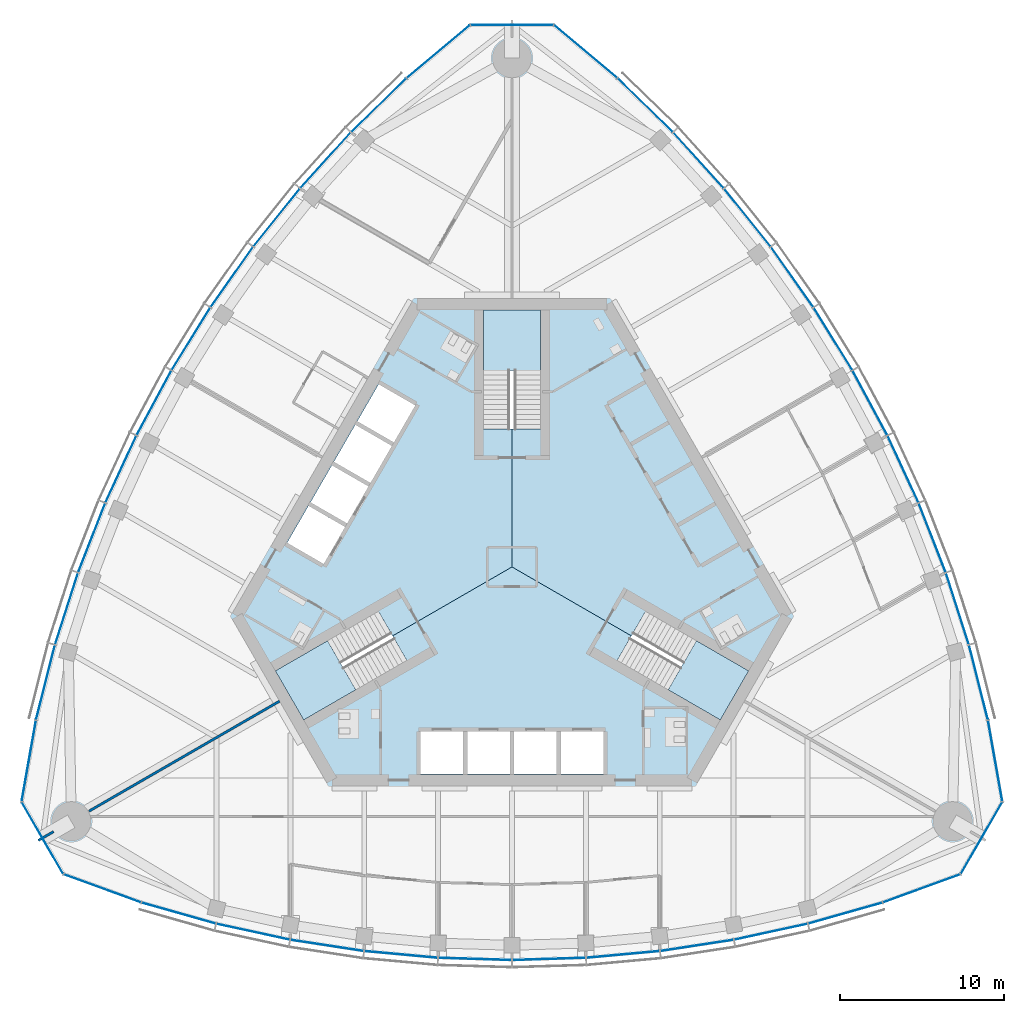
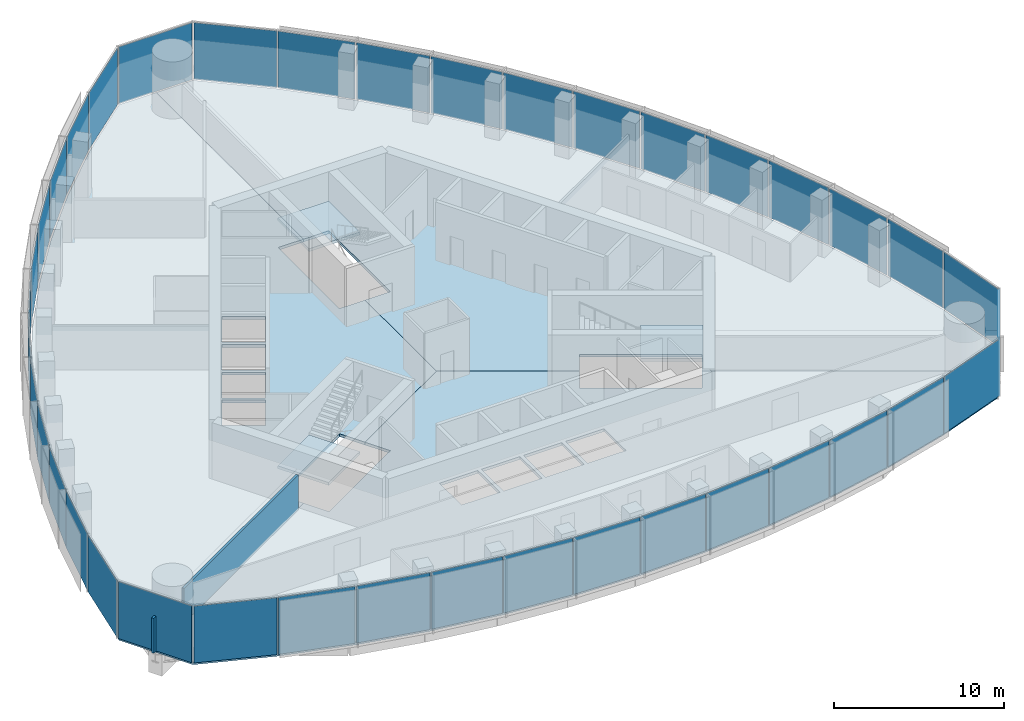
# One storey, part 7 of 16: 39 plates, 6 slabs, 2 walls, 9 elements without a shape of their own.
"""IFC4 building model written with IfcOpenShell, lengths in metres."""

import ifcopenshell
import ifcopenshell.guid

model = None  # the IFC model being written
_history = None  # IfcOwnerHistory: only IFC2X3 demands one
_inside = {}  # id of a spatial element -> (the spatial element, [elements in it])
_under = {}  # id of a project, library or spatial element -> (it, [spatial elements below it])
_declared = {}  # id of a project -> (the project, [libraries it declares])
_typed = {}  # id of a type object -> (the type object, [elements of that type])
_made_of = {}  # id of a material, layer set ... -> (it, [elements and type objects made of it])


def new_model(schema):
    """Start an empty IFC model of exactly this schema.

    Asked for "IFC4X3", IfcOpenShell would pick the latest addendum, in which some entities
    have other attributes; the version numbers below select the first issue.
    IFC2X3 requires an IfcOwnerHistory on every rooted entity: one is made here for all.
    """
    global model, _history
    if schema == "IFC4X3":
        model = ifcopenshell.file(schema_version=(4, 3, 0, 0))
    else:
        model = ifcopenshell.file(schema=schema)
    _inside.clear()
    _under.clear()
    _declared.clear()
    _typed.clear()
    _made_of.clear()
    _history = None
    if model.schema == "IFC2X3":
        org = make("IfcOrganization", Name="unknown")
        user = make(
            "IfcPersonAndOrganization",
            ThePerson=make("IfcPerson", FamilyName="unknown"),
            TheOrganization=org,
        )
        app = make(
            "IfcApplication",
            ApplicationDeveloper=org,
            Version="unknown",
            ApplicationFullName="unknown",
            ApplicationIdentifier="unknown",
        )
        _history = make(
            "IfcOwnerHistory",
            OwningUser=user,
            OwningApplication=app,
            ChangeAction="ADDED",
            CreationDate=0,
        )
    return model


def make(cls, **values):
    """One entity of the class cls with the attributes given. An attribute that is None is left unset."""
    return model.create_entity(
        cls, **{name: value for name, value in values.items() if value is not None}
    )


def rooted(cls, **values):
    """An entity with a GlobalId (a new one), such as an element, a storey or a relation."""
    return make(cls, GlobalId=ifcopenshell.guid.new(), OwnerHistory=_history, **values)


def si_unit(unit_type, name, prefix=None):
    """IfcSIUnit, for example si_unit("LENGTHUNIT", "METRE", prefix="MILLI")."""
    return make("IfcSIUnit", UnitType=unit_type, Prefix=prefix, Name=name)


def assignment(units):
    """IfcUnitAssignment: the units of a project."""
    return None if units is None else make("IfcUnitAssignment", Units=units)


def point(xyz):
    """IfcCartesianPoint."""
    return None if xyz is None else make("IfcCartesianPoint", Coordinates=xyz)


def direction(xyz):
    """IfcDirection."""
    return None if xyz is None else make("IfcDirection", DirectionRatios=xyz)


def frame(location, z_axis=None, x_axis=None):
    """IfcAxis2Placement3D, a coordinate frame: its origin and axes. An axis left out is left unset."""
    return make(
        "IfcAxis2Placement3D",
        Location=point(location),
        Axis=direction(z_axis),
        RefDirection=direction(x_axis),
    )


def frame_2d(location, x_axis=None):
    """IfcAxis2Placement2D, a coordinate frame in the plane: its origin and x axis."""
    return make(
        "IfcAxis2Placement2D", Location=point(location), RefDirection=direction(x_axis)
    )


def origin():
    """The frame at (0, 0, 0) with its axes left unset."""
    return frame((0.0, 0.0, 0.0))


def origin_2d():
    """The frame at (0, 0) in the plane with its x axis left unset."""
    return frame_2d((0.0, 0.0))


def place(relative_to, where):
    """IfcLocalPlacement: puts the frame where relative to a parent placement (None: the world)."""
    return make(
        "IfcLocalPlacement", PlacementRelTo=relative_to, RelativePlacement=where
    )


def context(
    kind, dimensions, precision=None, world=None, true_north=None, identifier=None
):
    """IfcGeometricRepresentationContext, for example the 3D "Model" context."""
    return make(
        "IfcGeometricRepresentationContext",
        ContextIdentifier=identifier,
        ContextType=kind,
        CoordinateSpaceDimension=dimensions,
        Precision=precision,
        WorldCoordinateSystem=world,
        TrueNorth=true_north,
    )


def subcontext(parent, identifier, kind, view, scale=None):
    """IfcGeometricRepresentationSubContext, for example "Body" below "Model"."""
    return make(
        "IfcGeometricRepresentationSubContext",
        ContextIdentifier=identifier,
        ContextType=kind,
        ParentContext=parent,
        TargetScale=scale,
        TargetView=view,
    )


def project(units=None, contexts=None):
    """IfcProject with its units and contexts."""
    return rooted(
        "IfcProject",
        Name="project",
        RepresentationContexts=contexts,
        UnitsInContext=assignment(units),
    )


def spatial(cls, under=None, at=None, **own):
    """A site, building, storey or space (cls), placed at a placement, below another one or the project."""
    s = rooted(cls, ObjectPlacement=at, **own)
    if under is not None:
        _under.setdefault(under.id(), (under, []))[1].append(s)
    return s


def polyline(points):
    """IfcPolyline through the points."""
    return make("IfcPolyline", Points=[point(p) for p in points])


def profile(cls, at=None, kind="AREA", **sizes):
    """A parametric profile (cls). Its sizes go by their IFC names, for example OverallWidth=200.0."""
    return make(cls, ProfileType=kind, Position=at, **sizes)


def rectangle(**sizes):
    """IfcRectangleProfileDef."""
    return profile("IfcRectangleProfileDef", **sizes)


def outline(outer, holes=None, kind="AREA"):
    """IfcArbitraryClosedProfileDef: a profile drawn as a closed curve; with holes, ...WithVoids."""
    if holes is None:
        return make("IfcArbitraryClosedProfileDef", ProfileType=kind, OuterCurve=outer)
    return make(
        "IfcArbitraryProfileDefWithVoids",
        ProfileType=kind,
        OuterCurve=outer,
        InnerCurves=holes,
    )


def extrude(swept, where, along, depth):
    """IfcExtrudedAreaSolid: the profile swept, set in the frame where, extruded along a direction by depth."""
    return make(
        "IfcExtrudedAreaSolid",
        SweptArea=swept,
        Position=where,
        ExtrudedDirection=direction(along),
        Depth=depth,
    )


def shape(context_of_items, identifier, shape_type, items):
    """IfcShapeRepresentation: the items that make up one representation, for example the "Body"."""
    return make(
        "IfcShapeRepresentation",
        ContextOfItems=context_of_items,
        RepresentationIdentifier=identifier,
        RepresentationType=shape_type,
        Items=items,
    )


def material(Name=None, Category=None):
    """IfcMaterial."""
    return make("IfcMaterial", Name=Name, Category=Category)


def layer(
    of_material, thickness, ventilated=None, Name=None, Category=None, Priority=None
):
    """IfcMaterialLayer: one layer of a wall or slab, of a material (None: an air gap)."""
    return make(
        "IfcMaterialLayer",
        Material=of_material,
        LayerThickness=thickness,
        IsVentilated=ventilated,
        Name=Name,
        Category=Category,
        Priority=Priority,
    )


def layer_set(layers, Name=None):
    """IfcMaterialLayerSet."""
    return make("IfcMaterialLayerSet", MaterialLayers=layers, LayerSetName=Name)


def made_of(thing, what):
    """Note that an element or type object is made of a material, layer set ...; save() writes the relation."""
    if what is not None:
        _made_of.setdefault(what.id(), (what, []))[1].append(thing)
    return thing


def type_object(cls, material=None, **own):
    """A type object (cls), such as IfcWallType, which elements share."""
    return made_of(rooted(cls, **own), material)


def element(
    cls,
    number,
    at=None,
    inside=None,
    cuts=None,
    type_object=None,
    material=None,
    context=None,
    identifier="Body",
    shape_type=None,
    held_by="IfcProductDefinitionShape",
    body=None,
    shapes=None,
    **own,
):
    """One element of the class cls, such as IfcWall. Its Tag is "e" and its number.

    at: its placement. inside: the storey or other place that contains it. cuts: it is an
    opening in that element (IfcRelVoidsElement). A single representation is given by context,
    identifier, shape_type and body (its items); several are given by shapes. held_by: the class
    of the entity that holds the representations. save() writes the other relations.
    """
    e = rooted(cls, Tag="e%d" % number, ObjectPlacement=at, **own)
    if body is not None:
        shapes = [shape(context, identifier, shape_type, body)]
    if shapes is not None:
        e.Representation = make(held_by, Representations=shapes)
    if inside is not None:
        _inside.setdefault(inside.id(), (inside, []))[1].append(e)
    if cuts is not None:
        rooted(
            "IfcRelVoidsElement", RelatingBuildingElement=cuts, RelatedOpeningElement=e
        )
    if type_object is not None:
        _typed.setdefault(type_object.id(), (type_object, []))[1].append(e)
    return made_of(e, material)


def aggregate(whole, parts):
    """IfcRelAggregates: a whole, such as a stair, and the parts it consists of."""
    return rooted("IfcRelAggregates", RelatingObject=whole, RelatedObjects=parts)


def save(model, path):
    """Write the relations noted so far, then the file.

    IfcRelAggregates (storeys below a building ...), IfcRelContainedInSpatialStructure (elements
    in a storey), IfcRelDefinesByType, IfcRelAssociatesMaterial and IfcRelDeclares: one each for
    every whole, place, type object, material and project.
    """
    for whole, parts in _under.values():
        aggregate(whole, parts)
    for where, things in _inside.values():
        rooted(
            "IfcRelContainedInSpatialStructure",
            RelatedElements=things,
            RelatingStructure=where,
        )
    for kind, things in _typed.values():
        rooted("IfcRelDefinesByType", RelatedObjects=things, RelatingType=kind)
    for what, things in _made_of.values():
        rooted("IfcRelAssociatesMaterial", RelatedObjects=things, RelatingMaterial=what)
    for by, libraries in _declared.values():
        rooted("IfcRelDeclares", RelatingContext=by, RelatedDefinitions=libraries)
    model.write(path)


model = new_model("IFC4")

# Units and contexts
model_context = context("Model", 3, precision=1e-05, world=origin(), true_north=direction((0.0, 1.0)))
body_context = subcontext(model_context, "Body", "Model", "MODEL_VIEW")
ifc_project = project(units=[si_unit("LENGTHUNIT", "METRE"), si_unit("AREAUNIT", "SQUARE_METRE"), si_unit("VOLUMEUNIT", "CUBIC_METRE"), si_unit("PLANEANGLEUNIT", "RADIAN"), si_unit("MASSUNIT", "GRAM", prefix="KILO")], contexts=[model_context])

# Site, building, storey
site_placement = place(None, origin())
site = spatial("IfcSite", under=ifc_project, at=site_placement, CompositionType="ELEMENT")
building_placement = place(site_placement, origin())
building = spatial("IfcBuilding", under=site, at=building_placement, Name="Trefoil Bronze Tower", CompositionType="ELEMENT")
storey_placement = place(building_placement, frame((0.0, 0.0, 293.10009765625)))
storey = spatial("IfcBuildingStorey", under=building, at=storey_placement, Name="L67", CompositionType="ELEMENT", Elevation=293.10009765625)

# Curtain wall, plates
ifc_material_1 = material(Name="Tinted solar-control glass", Category="glass")
curtain_wall_type_1 = type_object("IfcCurtainWallType", Name="Bronze office curtain wall", PredefinedType="USERDEFINED", material=ifc_material_1)
curtain_wall_1_placement = place(storey_placement, origin())
curtain_wall_1 = element("IfcCurtainWall", 1, at=curtain_wall_1_placement, inside=storey, type_object=curtain_wall_type_1, Name="CW-A L67 F1", ObjectType="CURTAIN WALL", PredefinedType="USERDEFINED")
ifc_material_2 = material(Name="Tinted solar-control glass", Category="glass")
ifc_layer_1 = layer(ifc_material_2, 0.030029296875)
ifc_layer_set_1 = layer_set([ifc_layer_1], Name="Bronze office curtain wall glass panel")
plate_type_1 = type_object("IfcPlateType", Name="Bronze office curtain wall glass panel", PredefinedType="CURTAIN_PANEL", material=ifc_layer_set_1)
plate_1_placement = place(storey_placement, frame((-20.301513671875, -21.092529296875, -0.000244140625), z_axis=(0.0, 0.0, 1.0), x_axis=(0.962097746943, -0.272704831875, 0.0)))
plate_1 = element("IfcPlate", 2, at=plate_1_placement, type_object=plate_type_1, Name="CW-A L67 F1 panel 1", PredefinedType="CURTAIN_PANEL", context=body_context, shape_type="SweptSolid", body=[
    extrude(rectangle(XDim=4.6474609375, YDim=0.030029296875, at=origin_2d()), origin(), (0.0, 0.0, 1.0), 4.080078125),
])
plate_2_placement = place(storey_placement, frame((-15.771240234375, -22.226318359375, -0.000244140625), z_axis=(0.0, 0.0, 1.0), x_axis=(0.977303138829, -0.211845639168, 0.0)))
plate_2 = element("IfcPlate", 3, at=plate_2_placement, type_object=plate_type_1, Name="CW-A L67 F1 panel 2", PredefinedType="CURTAIN_PANEL", context=body_context, shape_type="SweptSolid", body=[
    extrude(rectangle(XDim=4.5244140625, YDim=0.030029296875, at=origin_2d()), origin(), (0.0, 0.0, 1.0), 4.080078125),
])
plate_3_placement = place(storey_placement, frame((-11.26513671875, -23.0595703125, -0.000244140625), z_axis=(0.0, 0.0, 1.0), x_axis=(0.988485337216, -0.151316681529, 0.0)))
plate_3 = element("IfcPlate", 4, at=plate_3_placement, type_object=plate_type_1, Name="CW-A L67 F1 panel 3", PredefinedType="CURTAIN_PANEL", context=body_context, shape_type="SweptSolid", body=[
    extrude(rectangle(XDim=4.472412109375, YDim=0.030029296875, at=origin_2d()), origin(), (0.0, 0.0, 1.0), 4.080078125),
])
plate_4_placement = place(storey_placement, frame((-6.759033203125, -23.60986328125, -0.000244140625), z_axis=(0.0, 0.0, 1.0), x_axis=(0.99587011625, -0.090789380212, 0.0)))
plate_4 = element("IfcPlate", 5, at=plate_4_placement, type_object=plate_type_1, Name="CW-A L67 F1 panel 4", PredefinedType="CURTAIN_PANEL", context=body_context, shape_type="SweptSolid", body=[
    extrude(rectangle(XDim=4.438720703125, YDim=0.030029296875, at=origin_2d()), origin(), (0.0, 0.0, 1.0), 4.080078125),
])
plate_5_placement = place(storey_placement, frame((-2.2529296875, -23.883544921875, -0.000244140625), z_axis=(0.0, 0.0, 1.0), x_axis=(0.999541969785, -0.030263024264, 0.0)))
plate_5 = element("IfcPlate", 6, at=plate_5_placement, type_object=plate_type_1, Name="CW-A L67 F1 panel 5", PredefinedType="CURTAIN_PANEL", context=body_context, shape_type="SweptSolid", body=[
    extrude(rectangle(XDim=4.422119140625, YDim=0.030029296875, at=origin_2d()), origin(), (0.0, 0.0, 1.0), 4.080078125),
])
plate_6_placement = place(storey_placement, frame((2.2529296875, -23.883544921875, -0.000244140625), z_axis=(0.0, 0.0, 1.0), x_axis=(0.999541969785, 0.030263024264, 0.0)))
plate_6 = element("IfcPlate", 7, at=plate_6_placement, type_object=plate_type_1, Name="CW-A L67 F1 panel 6", PredefinedType="CURTAIN_PANEL", context=body_context, shape_type="SweptSolid", body=[
    extrude(rectangle(XDim=4.422119140625, YDim=0.030029296875, at=origin_2d()), origin(), (0.0, 0.0, 1.0), 4.080078125),
])
plate_7_placement = place(storey_placement, frame((6.759033203125, -23.60986328125, -0.000244140625), z_axis=(0.0, 0.0, 1.0), x_axis=(0.99587011625, 0.090789380212, 0.0)))
plate_7 = element("IfcPlate", 8, at=plate_7_placement, type_object=plate_type_1, Name="CW-A L67 F1 panel 7", PredefinedType="CURTAIN_PANEL", context=body_context, shape_type="SweptSolid", body=[
    extrude(rectangle(XDim=4.438720703125, YDim=0.030029296875, at=origin_2d()), origin(), (0.0, 0.0, 1.0), 4.080078125),
])
plate_8_placement = place(storey_placement, frame((11.26513671875, -23.0595703125, -0.000244140625), z_axis=(0.0, 0.0, 1.0), x_axis=(0.988485337216, 0.151316681529, 0.0)))
plate_8 = element("IfcPlate", 9, at=plate_8_placement, type_object=plate_type_1, Name="CW-A L67 F1 panel 8", PredefinedType="CURTAIN_PANEL", context=body_context, shape_type="SweptSolid", body=[
    extrude(rectangle(XDim=4.472412109375, YDim=0.030029296875, at=origin_2d()), origin(), (0.0, 0.0, 1.0), 4.080078125),
])
plate_9_placement = place(storey_placement, frame((15.771240234375, -22.226318359375, -0.000244140625), z_axis=(0.0, 0.0, 1.0), x_axis=(0.977303138829, 0.211845639168, 0.0)))
plate_9 = element("IfcPlate", 10, at=plate_9_placement, type_object=plate_type_1, Name="CW-A L67 F1 panel 9", PredefinedType="CURTAIN_PANEL", context=body_context, shape_type="SweptSolid", body=[
    extrude(rectangle(XDim=4.5244140625, YDim=0.030029296875, at=origin_2d()), origin(), (0.0, 0.0, 1.0), 4.080078125),
])
plate_10_placement = place(storey_placement, frame((20.301513671875, -21.092529296875, -0.000244140625), z_axis=(0.0, 0.0, 1.0), x_axis=(0.962097746943, 0.272704831875, 0.0)))
plate_10 = element("IfcPlate", 11, at=plate_10_placement, type_object=plate_type_1, Name="CW-A L67 F1 panel 10", PredefinedType="CURTAIN_PANEL", context=body_context, shape_type="SweptSolid", body=[
    extrude(rectangle(XDim=4.6474609375, YDim=0.030029296875, at=origin_2d()), origin(), (0.0, 0.0, 1.0), 4.080078125),
])
aggregate(curtain_wall_1, [plate_1, plate_2, plate_3, plate_4, plate_5, plate_6, plate_7, plate_8, plate_9, plate_10])

curtain_wall_2_placement = place(storey_placement, origin())
curtain_wall_2 = element("IfcCurtainWall", 12, at=curtain_wall_2_placement, inside=storey, type_object=curtain_wall_type_1, Name="CW-A L67 F2", ObjectType="CURTAIN WALL", PredefinedType="USERDEFINED")
plate_11_placement = place(storey_placement, frame((28.417236328125, -7.035400390625, -0.000244140625), z_axis=(0.0, 0.0, 1.0), x_axis=(-0.244879561333, 0.969553505713, 0.0)))
plate_11 = element("IfcPlate", 13, at=plate_11_placement, type_object=plate_type_1, Name="CW-A L67 F2 panel 1", PredefinedType="CURTAIN_PANEL", context=body_context, shape_type="SweptSolid", body=[
    extrude(rectangle(XDim=4.6474609375, YDim=0.030029296875, at=origin_2d()), origin(), (0.0, 0.0, 1.0), 4.080078125),
])
plate_12_placement = place(storey_placement, frame((27.134033203125, -2.545166015625, -0.000244140625), z_axis=(0.0, 0.0, 1.0), x_axis=(-0.305187864214, 0.952292165009, 0.0)))
plate_12 = element("IfcPlate", 14, at=plate_12_placement, type_object=plate_type_1, Name="CW-A L67 F2 panel 2", PredefinedType="CURTAIN_PANEL", context=body_context, shape_type="SweptSolid", body=[
    extrude(rectangle(XDim=4.5244140625, YDim=0.030029296875, at=origin_2d()), origin(), (0.0, 0.0, 1.0), 4.080078125),
])
plate_13_placement = place(storey_placement, frame((25.602783203125, 1.77392578125, -0.000244140625), z_axis=(0.0, 0.0, 1.0), x_axis=(-0.363198578387, 0.931711754062, 0.0)))
plate_13 = element("IfcPlate", 15, at=plate_13_placement, type_object=plate_type_1, Name="CW-A L67 F2 panel 3", PredefinedType="CURTAIN_PANEL", context=body_context, shape_type="SweptSolid", body=[
    extrude(rectangle(XDim=4.472412109375, YDim=0.030029296875, at=origin_2d()), origin(), (0.0, 0.0, 1.0), 4.080078125),
])
plate_14_placement = place(storey_placement, frame((23.826171875, 5.951416015625, -0.000244140625), z_axis=(0.0, 0.0, 1.0), x_axis=(-0.419309148468, 0.907843509649, 0.0)))
plate_14 = element("IfcPlate", 16, at=plate_14_placement, type_object=plate_type_1, Name="CW-A L67 F2 panel 4", PredefinedType="CURTAIN_PANEL", context=body_context, shape_type="SweptSolid", body=[
    extrude(rectangle(XDim=4.438720703125, YDim=0.030029296875, at=origin_2d()), origin(), (0.0, 0.0, 1.0), 4.080078125),
])
plate_15_placement = place(storey_placement, frame((21.81005859375, 9.990478515625, -0.000244140625), z_axis=(0.0, 0.0, 1.0), x_axis=(-0.473562437085, 0.880760250115, 0.0)))
plate_15 = element("IfcPlate", 17, at=plate_15_placement, type_object=plate_type_1, Name="CW-A L67 F2 panel 5", PredefinedType="CURTAIN_PANEL", context=body_context, shape_type="SweptSolid", body=[
    extrude(rectangle(XDim=4.422119140625, YDim=0.030029296875, at=origin_2d()), origin(), (0.0, 0.0, 1.0), 4.080078125),
])
plate_16_placement = place(storey_placement, frame((19.55712890625, 13.892822265625, -0.000244140625), z_axis=(0.0, 0.0, 1.0), x_axis=(-0.525979532701, 0.850497225851, 0.0)))
plate_16 = element("IfcPlate", 18, at=plate_16_placement, type_object=plate_type_1, Name="CW-A L67 F2 panel 6", PredefinedType="CURTAIN_PANEL", context=body_context, shape_type="SweptSolid", body=[
    extrude(rectangle(XDim=4.422119140625, YDim=0.030029296875, at=origin_2d()), origin(), (0.0, 0.0, 1.0), 4.080078125),
])
plate_17_placement = place(storey_placement, frame((17.067138671875, 17.658447265625, -0.000244140625), z_axis=(0.0, 0.0, 1.0), x_axis=(-0.576560967783, 0.817054129437, 0.0)))
plate_17 = element("IfcPlate", 19, at=plate_17_placement, type_object=plate_type_1, Name="CW-A L67 F2 panel 7", PredefinedType="CURTAIN_PANEL", context=body_context, shape_type="SweptSolid", body=[
    extrude(rectangle(XDim=4.438720703125, YDim=0.030029296875, at=origin_2d()), origin(), (0.0, 0.0, 1.0), 4.080078125),
])
plate_18_placement = place(storey_placement, frame((14.337646484375, 21.28564453125, -0.000244140625), z_axis=(0.0, 0.0, 1.0), x_axis=(-0.625286758829, 0.780395072533, 0.0)))
plate_18 = element("IfcPlate", 20, at=plate_18_placement, type_object=plate_type_1, Name="CW-A L67 F2 panel 8", PredefinedType="CURTAIN_PANEL", context=body_context, shape_type="SweptSolid", body=[
    extrude(rectangle(XDim=4.472412109375, YDim=0.030029296875, at=origin_2d()), origin(), (0.0, 0.0, 1.0), 4.080078125),
])
plate_19_placement = place(storey_placement, frame((11.36279296875, 24.771484375, -0.000244140625), z_axis=(0.0, 0.0, 1.0), x_axis=(-0.672115274615, 0.74044652584, 0.0)))
plate_19 = element("IfcPlate", 21, at=plate_19_placement, type_object=plate_type_1, Name="CW-A L67 F2 panel 9", PredefinedType="CURTAIN_PANEL", context=body_context, shape_type="SweptSolid", body=[
    extrude(rectangle(XDim=4.5244140625, YDim=0.030029296875, at=origin_2d()), origin(), (0.0, 0.0, 1.0), 4.080078125),
])
plate_20_placement = place(storey_placement, frame((8.115966796875, 28.127685546875, -0.000244140625), z_axis=(0.0, 0.0, 1.0), x_axis=(-0.71721818561, 0.696848673839, 0.0)))
plate_20 = element("IfcPlate", 22, at=plate_20_placement, type_object=plate_type_1, Name="CW-A L67 F2 panel 10", PredefinedType="CURTAIN_PANEL", context=body_context, shape_type="SweptSolid", body=[
    extrude(rectangle(XDim=4.6474609375, YDim=0.030029296875, at=origin_2d()), origin(), (0.0, 0.0, 1.0), 4.080078125),
])
aggregate(curtain_wall_2, [plate_11, plate_12, plate_13, plate_14, plate_15, plate_16, plate_17, plate_18, plate_19, plate_20])

curtain_wall_3_placement = place(storey_placement, origin())
curtain_wall_3 = element("IfcCurtainWall", 23, at=curtain_wall_3_placement, inside=storey, type_object=curtain_wall_type_1, Name="CW-A L67 F3", ObjectType="CURTAIN WALL", PredefinedType="USERDEFINED")
plate_21_placement = place(storey_placement, frame((-8.115966796875, 28.127685546875, -0.000244140625), z_axis=(0.0, 0.0, 1.0), x_axis=(-0.71721818561, -0.696848673839, 0.0)))
plate_21 = element("IfcPlate", 24, at=plate_21_placement, type_object=plate_type_1, Name="CW-A L67 F3 panel 1", PredefinedType="CURTAIN_PANEL", context=body_context, shape_type="SweptSolid", body=[
    extrude(rectangle(XDim=4.6474609375, YDim=0.030029296875, at=origin_2d()), origin(), (0.0, 0.0, 1.0), 4.080078125),
])
plate_22_placement = place(storey_placement, frame((-11.36279296875, 24.771484375, -0.000244140625), z_axis=(0.0, 0.0, 1.0), x_axis=(-0.672115274615, -0.74044652584, 0.0)))
plate_22 = element("IfcPlate", 25, at=plate_22_placement, type_object=plate_type_1, Name="CW-A L67 F3 panel 2", PredefinedType="CURTAIN_PANEL", context=body_context, shape_type="SweptSolid", body=[
    extrude(rectangle(XDim=4.5244140625, YDim=0.030029296875, at=origin_2d()), origin(), (0.0, 0.0, 1.0), 4.080078125),
])
plate_23_placement = place(storey_placement, frame((-14.337646484375, 21.28564453125, -0.000244140625), z_axis=(0.0, 0.0, 1.0), x_axis=(-0.625286758829, -0.780395072533, 0.0)))
plate_23 = element("IfcPlate", 26, at=plate_23_placement, type_object=plate_type_1, Name="CW-A L67 F3 panel 3", PredefinedType="CURTAIN_PANEL", context=body_context, shape_type="SweptSolid", body=[
    extrude(rectangle(XDim=4.472412109375, YDim=0.030029296875, at=origin_2d()), origin(), (0.0, 0.0, 1.0), 4.080078125),
])
plate_24_placement = place(storey_placement, frame((-17.067138671875, 17.658447265625, -0.000244140625), z_axis=(0.0, 0.0, 1.0), x_axis=(-0.576560967783, -0.817054129437, 0.0)))
plate_24 = element("IfcPlate", 27, at=plate_24_placement, type_object=plate_type_1, Name="CW-A L67 F3 panel 4", PredefinedType="CURTAIN_PANEL", context=body_context, shape_type="SweptSolid", body=[
    extrude(rectangle(XDim=4.438720703125, YDim=0.030029296875, at=origin_2d()), origin(), (0.0, 0.0, 1.0), 4.080078125),
])
plate_25_placement = place(storey_placement, frame((-19.55712890625, 13.892822265625, -0.000244140625), z_axis=(0.0, 0.0, 1.0), x_axis=(-0.525979532701, -0.850497225851, 0.0)))
plate_25 = element("IfcPlate", 28, at=plate_25_placement, type_object=plate_type_1, Name="CW-A L67 F3 panel 5", PredefinedType="CURTAIN_PANEL", context=body_context, shape_type="SweptSolid", body=[
    extrude(rectangle(XDim=4.422119140625, YDim=0.030029296875, at=origin_2d()), origin(), (0.0, 0.0, 1.0), 4.080078125),
])
plate_26_placement = place(storey_placement, frame((-21.81005859375, 9.990478515625, -0.000244140625), z_axis=(0.0, 0.0, 1.0), x_axis=(-0.473562437085, -0.880760250115, 0.0)))
plate_26 = element("IfcPlate", 29, at=plate_26_placement, type_object=plate_type_1, Name="CW-A L67 F3 panel 6", PredefinedType="CURTAIN_PANEL", context=body_context, shape_type="SweptSolid", body=[
    extrude(rectangle(XDim=4.422119140625, YDim=0.030029296875, at=origin_2d()), origin(), (0.0, 0.0, 1.0), 4.080078125),
])
plate_27_placement = place(storey_placement, frame((-23.826171875, 5.951416015625, -0.000244140625), z_axis=(0.0, 0.0, 1.0), x_axis=(-0.419309148468, -0.907843509649, 0.0)))
plate_27 = element("IfcPlate", 30, at=plate_27_placement, type_object=plate_type_1, Name="CW-A L67 F3 panel 7", PredefinedType="CURTAIN_PANEL", context=body_context, shape_type="SweptSolid", body=[
    extrude(rectangle(XDim=4.438720703125, YDim=0.030029296875, at=origin_2d()), origin(), (0.0, 0.0, 1.0), 4.080078125),
])
plate_28_placement = place(storey_placement, frame((-25.602783203125, 1.77392578125, -0.000244140625), z_axis=(0.0, 0.0, 1.0), x_axis=(-0.363198578387, -0.931711754062, 0.0)))
plate_28 = element("IfcPlate", 31, at=plate_28_placement, type_object=plate_type_1, Name="CW-A L67 F3 panel 8", PredefinedType="CURTAIN_PANEL", context=body_context, shape_type="SweptSolid", body=[
    extrude(rectangle(XDim=4.472412109375, YDim=0.030029296875, at=origin_2d()), origin(), (0.0, 0.0, 1.0), 4.080078125),
])
plate_29_placement = place(storey_placement, frame((-27.134033203125, -2.545166015625, -0.000244140625), z_axis=(0.0, 0.0, 1.0), x_axis=(-0.305187864214, -0.952292165009, 0.0)))
plate_29 = element("IfcPlate", 32, at=plate_29_placement, type_object=plate_type_1, Name="CW-A L67 F3 panel 9", PredefinedType="CURTAIN_PANEL", context=body_context, shape_type="SweptSolid", body=[
    extrude(rectangle(XDim=4.5244140625, YDim=0.030029296875, at=origin_2d()), origin(), (0.0, 0.0, 1.0), 4.080078125),
])
plate_30_placement = place(storey_placement, frame((-28.417236328125, -7.035400390625, -0.000244140625), z_axis=(0.0, 0.0, 1.0), x_axis=(-0.244879561333, -0.969553505713, 0.0)))
plate_30 = element("IfcPlate", 33, at=plate_30_placement, type_object=plate_type_1, Name="CW-A L67 F3 panel 10", PredefinedType="CURTAIN_PANEL", context=body_context, shape_type="SweptSolid", body=[
    extrude(rectangle(XDim=4.6474609375, YDim=0.030029296875, at=origin_2d()), origin(), (0.0, 0.0, 1.0), 4.080078125),
])
aggregate(curtain_wall_3, [plate_21, plate_22, plate_23, plate_24, plate_25, plate_26, plate_27, plate_28, plate_29, plate_30])

ifc_material_3 = material(Name="Tinted solar-control glass", Category="glass")
curtain_wall_type_2 = type_object("IfcCurtainWallType", Name="Bronze rounded corner curtain wall", PredefinedType="USERDEFINED", material=ifc_material_3)
curtain_wall_4_placement = place(storey_placement, origin())
curtain_wall_4 = element("IfcCurtainWall", 34, at=curtain_wall_4_placement, inside=storey, type_object=curtain_wall_type_2, Name="CW-B L67 K1", ObjectType="CURTAIN WALL", PredefinedType="USERDEFINED")
ifc_material_4 = material(Name="Tinted solar-control glass", Category="glass")
ifc_layer_2 = layer(ifc_material_4, 0.030029296875)
ifc_layer_set_2 = layer_set([ifc_layer_2], Name="Bronze rounded corner curtain wall glass panel")
plate_type_2 = type_object("IfcPlateType", Name="Bronze rounded corner curtain wall glass panel", PredefinedType="CURTAIN_PANEL", material=ifc_layer_set_2)
plate_31_placement = place(storey_placement, frame((24.939453125, -19.587646484375, -0.000244140625), z_axis=(0.0, 0.0, 1.0), x_axis=(0.939692620786, 0.342020143326, 0.0)))
plate_31 = element("IfcPlate", 35, at=plate_31_placement, type_object=plate_type_2, Name="CW-B L67 K1 panel 1", PredefinedType="CURTAIN_PANEL", context=body_context, shape_type="SweptSolid", body=[
    extrude(rectangle(XDim=4.956298828125, YDim=0.030029296875, at=origin_2d()), origin(), (0.0, 0.0, 1.0), 4.080078125),
])
plate_32_placement = place(storey_placement, frame((28.602783203125, -16.513916015625, -0.000244140625), z_axis=(0.0, 0.0, 1.0), x_axis=(0.5, 0.866025403784, 0.0)))
plate_32 = element("IfcPlate", 36, at=plate_32_placement, type_object=plate_type_2, Name="CW-B L67 K1 panel 2", PredefinedType="CURTAIN_PANEL", context=body_context, shape_type="SweptSolid", body=[
    extrude(rectangle(XDim=4.956298828125, YDim=0.030029296875, at=origin_2d()), origin(), (0.0, 0.0, 1.0), 4.080078125),
])
plate_33_placement = place(storey_placement, frame((29.43310546875, -11.80419921875, -0.000244140625), z_axis=(0.0, 0.0, 1.0), x_axis=(-0.173648177667, 0.984807753012, 0.0)))
plate_33 = element("IfcPlate", 37, at=plate_33_placement, type_object=plate_type_2, Name="CW-B L67 K1 panel 3", PredefinedType="CURTAIN_PANEL", context=body_context, shape_type="SweptSolid", body=[
    extrude(rectangle(XDim=4.956298828125, YDim=0.030029296875, at=origin_2d()), origin(), (0.0, 0.0, 1.0), 4.080078125),
])
aggregate(curtain_wall_4, [plate_31, plate_32, plate_33])

curtain_wall_5_placement = place(storey_placement, origin())
curtain_wall_5 = element("IfcCurtainWall", 38, at=curtain_wall_5_placement, inside=storey, type_object=curtain_wall_type_2, Name="CW-B L67 K2", ObjectType="CURTAIN WALL", PredefinedType="USERDEFINED")
plate_34_placement = place(storey_placement, frame((4.493896484375, 31.39208984375, -0.000244140625), z_axis=(0.0, 0.0, 1.0), x_axis=(-0.766044443119, 0.642787609687, 0.0)))
plate_34 = element("IfcPlate", 39, at=plate_34_placement, type_object=plate_type_2, Name="CW-B L67 K2 panel 1", PredefinedType="CURTAIN_PANEL", context=body_context, shape_type="SweptSolid", body=[
    extrude(rectangle(XDim=4.956298828125, YDim=0.030029296875, at=origin_2d()), origin(), (0.0, 0.0, 1.0), 4.080078125),
])
plate_35_placement = place(storey_placement, frame((0.0, 33.027587890625, -0.000244140625), z_axis=(0.0, 0.0, 1.0), x_axis=(-1.0, 0.0, 0.0)))
plate_35 = element("IfcPlate", 40, at=plate_35_placement, type_object=plate_type_2, Name="CW-B L67 K2 panel 2", PredefinedType="CURTAIN_PANEL", context=body_context, shape_type="SweptSolid", body=[
    extrude(rectangle(XDim=4.956298828125, YDim=0.030029296875, at=origin_2d()), origin(), (0.0, 0.0, 1.0), 4.080078125),
])
plate_36_placement = place(storey_placement, frame((-4.493896484375, 31.39208984375, -0.000244140625), z_axis=(0.0, 0.0, 1.0), x_axis=(-0.766044443119, -0.642787609687, 0.0)))
plate_36 = element("IfcPlate", 41, at=plate_36_placement, type_object=plate_type_2, Name="CW-B L67 K2 panel 3", PredefinedType="CURTAIN_PANEL", context=body_context, shape_type="SweptSolid", body=[
    extrude(rectangle(XDim=4.956298828125, YDim=0.030029296875, at=origin_2d()), origin(), (0.0, 0.0, 1.0), 4.080078125),
])
aggregate(curtain_wall_5, [plate_34, plate_35, plate_36])

curtain_wall_6_placement = place(storey_placement, origin())
curtain_wall_6 = element("IfcCurtainWall", 42, at=curtain_wall_6_placement, inside=storey, type_object=curtain_wall_type_2, Name="CW-B L67 K3", ObjectType="CURTAIN WALL", PredefinedType="USERDEFINED")
plate_37_placement = place(storey_placement, frame((-29.43310546875, -11.80419921875, -0.000244140625), z_axis=(0.0, 0.0, 1.0), x_axis=(-0.173648177667, -0.984807753012, 0.0)))
plate_37 = element("IfcPlate", 43, at=plate_37_placement, type_object=plate_type_2, Name="CW-B L67 K3 panel 1", PredefinedType="CURTAIN_PANEL", context=body_context, shape_type="SweptSolid", body=[
    extrude(rectangle(XDim=4.956298828125, YDim=0.030029296875, at=origin_2d()), origin(), (0.0, 0.0, 1.0), 4.080078125),
])
plate_38_placement = place(storey_placement, frame((-28.602783203125, -16.513916015625, -0.000244140625), z_axis=(0.0, 0.0, 1.0), x_axis=(0.5, -0.866025403784, 0.0)))
plate_38 = element("IfcPlate", 44, at=plate_38_placement, type_object=plate_type_2, Name="CW-B L67 K3 panel 2", PredefinedType="CURTAIN_PANEL", context=body_context, shape_type="SweptSolid", body=[
    extrude(rectangle(XDim=4.956298828125, YDim=0.030029296875, at=origin_2d()), origin(), (0.0, 0.0, 1.0), 4.080078125),
])
plate_39_placement = place(storey_placement, frame((-24.939453125, -19.587646484375, -0.000244140625), z_axis=(0.0, 0.0, 1.0), x_axis=(0.939692620786, -0.342020143326, 0.0)))
plate_39 = element("IfcPlate", 45, at=plate_39_placement, type_object=plate_type_2, Name="CW-B L67 K3 panel 3", PredefinedType="CURTAIN_PANEL", context=body_context, shape_type="SweptSolid", body=[
    extrude(rectangle(XDim=4.956298828125, YDim=0.030029296875, at=origin_2d()), origin(), (0.0, 0.0, 1.0), 4.080078125),
])
aggregate(curtain_wall_6, [plate_37, plate_38, plate_39])

# Slabs
ifc_material_5 = material(Name="Concrete B30", Category="concrete")
ifc_layer_3 = layer(ifc_material_5, 0.199951171875)
ifc_layer_set_3 = layer_set([ifc_layer_3], Name="Floor slab 200")
slab_type_1 = type_object("IfcSlabType", Name="Floor slab 200", PredefinedType="FLOOR", material=ifc_layer_set_3)
slab_1_placement = place(storey_placement, frame((0.0, 0.0, -0.2001953125)))
element("IfcSlab", 46, at=slab_1_placement, inside=storey, type_object=slab_type_1, Name="Floor slab L67 face 1", PredefinedType="FLOOR", context=body_context, shape_type="SweptSolid", body=[
    extrude(outline(polyline([(13.5, -22.6162109375), (9.0, -23.30517578125), (4.5, -23.71533203125), (0.0, -23.8515625), (-4.5, -23.71533203125), (-9.0, -23.30517578125), (-13.5, -22.6162109375), (-18.0, -21.640869140625), (-22.54833984375, -20.3515625), (-27.261962890625, -18.635986328125), (-28.51611328125, -16.4638671875), (-13.510009765625, -7.800048828125), (-12.6474609375, -9.2939453125), (-6.412109375, -5.69384765625), (-7.274658203125, -4.199951171875), (0.0, 0.0), (7.274658203125, -4.199951171875), (6.412109375, -5.69384765625), (12.6474609375, -9.2939453125), (13.510009765625, -7.800048828125), (28.51611328125, -16.4638671875), (27.261962890625, -18.635986328125), (22.54833984375, -20.3515625), (18.0, -21.640869140625), (13.5, -22.6162109375)]), holes=[polyline([(-5.574951171875, -10.02490234375), (-2.97509765625, -10.02490234375), (-2.97509765625, -12.60009765625), (-5.574951171875, -12.60009765625), (-5.574951171875, -10.02490234375)]), polyline([(-2.72509765625, -10.02490234375), (-0.125, -10.02490234375), (-0.125, -12.60009765625), (-2.72509765625, -12.60009765625), (-2.72509765625, -10.02490234375)]), polyline([(0.125, -10.02490234375), (2.72509765625, -10.02490234375), (2.72509765625, -12.60009765625), (0.125, -12.60009765625), (0.125, -10.02490234375)]), polyline([(2.97509765625, -10.02490234375), (5.574951171875, -10.02490234375), (5.574951171875, -12.60009765625), (2.97509765625, -12.60009765625), (2.97509765625, -10.02490234375)])]), origin(), (0.0, 0.0, 1.0), 0.2001953125),
])
slab_2_placement = place(storey_placement, frame((0.0, 0.0, -0.2001953125)))
element("IfcSlab", 47, at=slab_2_placement, inside=storey, type_object=slab_type_1, Name="Floor slab L67 face 2", PredefinedType="FLOOR", context=body_context, shape_type="SweptSolid", body=[
    extrude(outline(polyline([(12.836181640625, 22.99951171875), (15.682861328125, 19.44677734375), (18.2880859375, 15.7548828125), (20.656005859375, 11.92578125), (22.7880859375, 7.96044921875), (24.682861328125, 3.8583984375), (26.336181640625, -0.38330078125), (27.741455078125, -4.76806640625), (28.899169921875, -9.3515625), (29.770263671875, -14.291748046875), (28.51611328125, -16.4638671875), (13.510009765625, -7.800048828125), (14.37255859375, -6.30615234375), (8.13720703125, -2.7060546875), (7.274658203125, -4.199951171875), (0.0, 0.0), (0.0, 8.39990234375), (1.72509765625, 8.39990234375), (1.72509765625, 15.60009765625), (0.0, 15.60009765625), (0.0, 32.927490234375), (2.508056640625, 32.927490234375), (6.350830078125, 29.703125), (9.741455078125, 26.408935546875), (12.836181640625, 22.99951171875)])), origin(), (0.0, 0.0, 1.0), 0.2001953125),
])
slab_3_placement = place(storey_placement, frame((0.0, 0.0, -0.2001953125)))
element("IfcSlab", 48, at=slab_3_placement, inside=storey, type_object=slab_type_1, Name="Floor slab L67 face 3", PredefinedType="FLOOR", context=body_context, shape_type="SweptSolid", body=[
    extrude(outline(polyline([(-26.336181640625, -0.38330078125), (-24.682861328125, 3.8583984375), (-22.7880859375, 7.96044921875), (-20.656005859375, 11.92578125), (-18.2880859375, 15.7548828125), (-15.682861328125, 19.44677734375), (-12.836181640625, 22.99951171875), (-9.741455078125, 26.408935546875), (-6.350830078125, 29.703125), (-2.508056640625, 32.927490234375), (0.0, 32.927490234375), (0.0, 15.60009765625), (-1.72509765625, 15.60009765625), (-1.72509765625, 8.39990234375), (0.0, 8.39990234375), (0.0, 0.0), (-7.274658203125, -4.199951171875), (-8.13720703125, -2.7060546875), (-14.37255859375, -6.30615234375), (-13.510009765625, -7.800048828125), (-28.51611328125, -16.4638671875), (-29.770263671875, -14.291748046875), (-28.899169921875, -9.3515625), (-27.741455078125, -4.76806640625), (-26.336181640625, -0.38330078125)]), holes=[polyline([(-5.894287109375, 9.840576171875), (-7.1943359375, 7.5888671875), (-9.42431640625, 8.87646484375), (-8.12451171875, 11.128173828125), (-5.894287109375, 9.840576171875)]), polyline([(-7.3193359375, 7.372314453125), (-8.619384765625, 5.120849609375), (-10.849365234375, 6.408203125), (-9.54931640625, 8.659912109375), (-7.3193359375, 7.372314453125)]), polyline([(-8.744384765625, 4.904296875), (-10.04443359375, 2.652587890625), (-12.2744140625, 3.940185546875), (-10.974365234375, 6.191650390625), (-8.744384765625, 4.904296875)]), polyline([(-10.16943359375, 2.43603515625), (-11.469482421875, 0.184326171875), (-13.699462890625, 1.471923828125), (-12.3994140625, 3.7236328125), (-10.16943359375, 2.43603515625)])]), origin(), (0.0, 0.0, 1.0), 0.2001953125),
])

# Stair, slab
ifc_material_6 = material(Name="Precast concrete B80", Category="concrete")
stair_type = type_object("IfcStairType", Name="Exit stair 26 risers", PredefinedType="HALF_TURN_STAIR", material=ifc_material_6)
stair_1_placement = place(storey_placement, origin())
stair_1 = element("IfcStair", 49, at=stair_1_placement, inside=storey, type_object=stair_type, Name="Stair ST1 L67", PredefinedType="HALF_TURN_STAIR")
ifc_material_7 = material(Name="Concrete B30", Category="concrete")
ifc_layer_4 = layer(ifc_material_7, 0.199951171875)
ifc_layer_set_4 = layer_set([ifc_layer_4], Name="Stair landing 200")
slab_type_2 = type_object("IfcSlabType", Name="Stair landing 200", PredefinedType="LANDING", material=ifc_layer_set_4)
slab_4_placement = place(storey_placement, frame((0.0, 0.0, 1.89990234375)))
slab_4 = element("IfcSlab", 50, at=slab_4_placement, type_object=slab_type_2, Name="ST1 landing 1", PredefinedType="LANDING", context=body_context, shape_type="SweptSolid", body=[
    extrude(outline(polyline([(9.512451171875, -7.48388671875), (12.69091796875, -9.31884765625), (14.415771484375, -6.3310546875), (11.237548828125, -4.49609375), (9.512451171875, -7.48388671875)])), origin(), (0.0, 0.0, 1.0), 0.199951171875),
])
aggregate(stair_1, [slab_4])

stair_2_placement = place(storey_placement, origin())
stair_2 = element("IfcStair", 51, at=stair_2_placement, inside=storey, type_object=stair_type, Name="Stair ST2 L67", PredefinedType="HALF_TURN_STAIR")
slab_5_placement = place(storey_placement, frame((0.0, 0.0, 1.89990234375)))
slab_5 = element("IfcSlab", 52, at=slab_5_placement, type_object=slab_type_2, Name="ST2 landing 1", PredefinedType="LANDING", context=body_context, shape_type="SweptSolid", body=[
    extrude(outline(polyline([(1.72509765625, 11.97998046875), (1.72509765625, 15.64990234375), (-1.72509765625, 15.64990234375), (-1.72509765625, 11.97998046875), (1.72509765625, 11.97998046875)])), origin(), (0.0, 0.0, 1.0), 0.199951171875),
])
aggregate(stair_2, [slab_5])

stair_3_placement = place(storey_placement, origin())
stair_3 = element("IfcStair", 53, at=stair_3_placement, inside=storey, type_object=stair_type, Name="Stair ST3 L67", PredefinedType="HALF_TURN_STAIR")
slab_6_placement = place(storey_placement, frame((0.0, 0.0, 1.89990234375)))
slab_6 = element("IfcSlab", 54, at=slab_6_placement, type_object=slab_type_2, Name="ST3 landing 1", PredefinedType="LANDING", context=body_context, shape_type="SweptSolid", body=[
    extrude(outline(polyline([(-11.237548828125, -4.49609375), (-14.415771484375, -6.3310546875), (-12.69091796875, -9.31884765625), (-9.512451171875, -7.48388671875), (-11.237548828125, -4.49609375)])), origin(), (0.0, 0.0, 1.0), 0.199951171875),
])
aggregate(stair_3, [slab_6])

# Walls
ifc_material_8 = material(Name="Gypsum board on steel studs", Category="steel")
ifc_layer_5 = layer(ifc_material_8, 0.14990234375)
ifc_layer_set_5 = layer_set([ifc_layer_5], Name="Party wall 150")
wall_type = type_object("IfcWallType", Name="Party wall 150", PredefinedType="PARTITIONING", material=ifc_layer_set_5)
wall_1_placement = place(storey_placement, frame((-14.159423828125, -8.175048828125, 0.0), z_axis=(0.0, 0.0, 1.0), x_axis=(-0.866026905467, -0.499997399001, 0.0)))
element("IfcWall", 55, at=wall_1_placement, inside=storey, type_object=wall_type, Name="Party wall K3 L67", PredefinedType="PARTITIONING", context=body_context, shape_type="SweptSolid", body=[
    extrude(rectangle(XDim=13.39990234375, YDim=0.14990234375, at=frame_2d((6.699951171875, 0.0))), origin(), (0.0, 0.0, 1.0), 2.5),
])
wall_2_placement = place(storey_placement, frame((-27.92919921875, -16.125, 0.0), z_axis=(0.0, 0.0, 1.0), x_axis=(-0.866086810508, -0.499893625349, 0.0)))
element("IfcWall", 56, at=wall_2_placement, inside=storey, type_object=wall_type, Name="Party wall K3 L67", PredefinedType="PARTITIONING", context=body_context, shape_type="SweptSolid", body=[
    extrude(rectangle(XDim=1.070068359375, YDim=0.14990234375, at=frame_2d((0.53515625, 0.0))), origin(), (0.0, 0.0, 1.0), 2.5),
])

save(model, "model.ifc")
